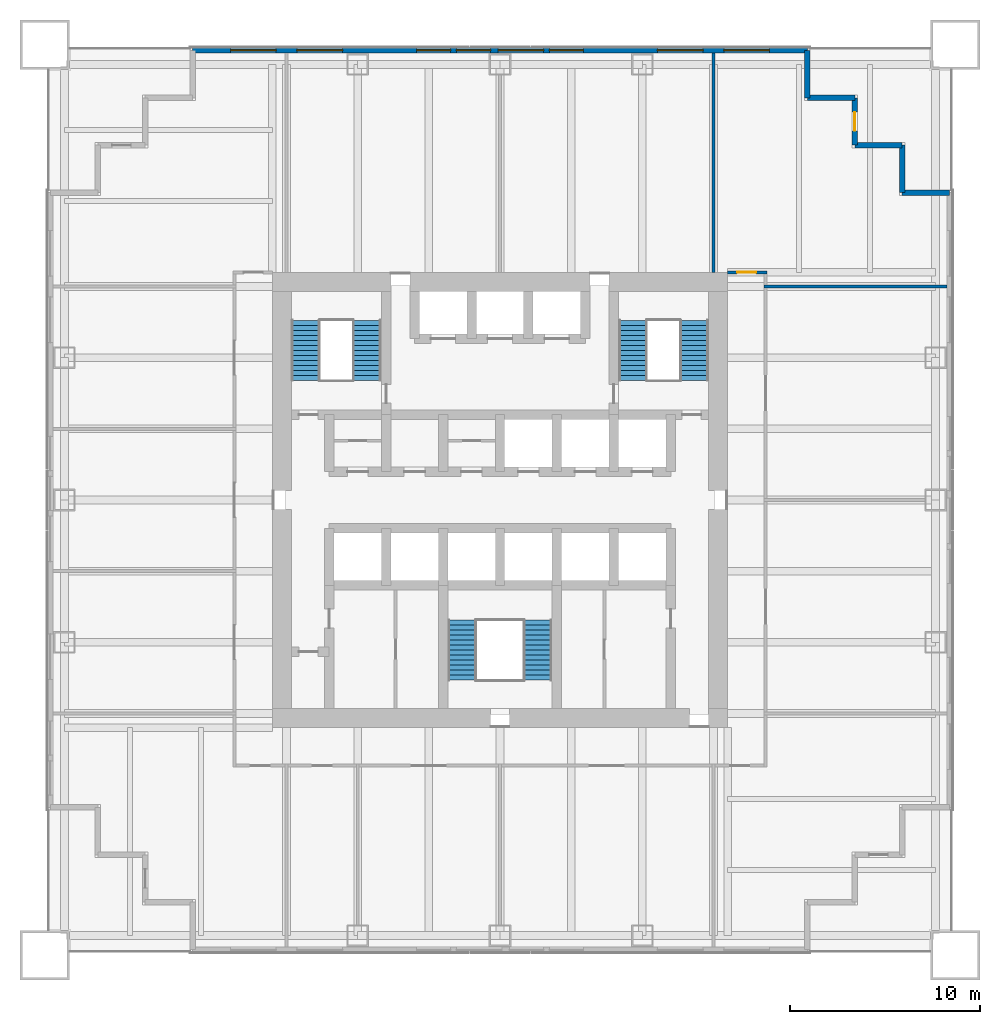
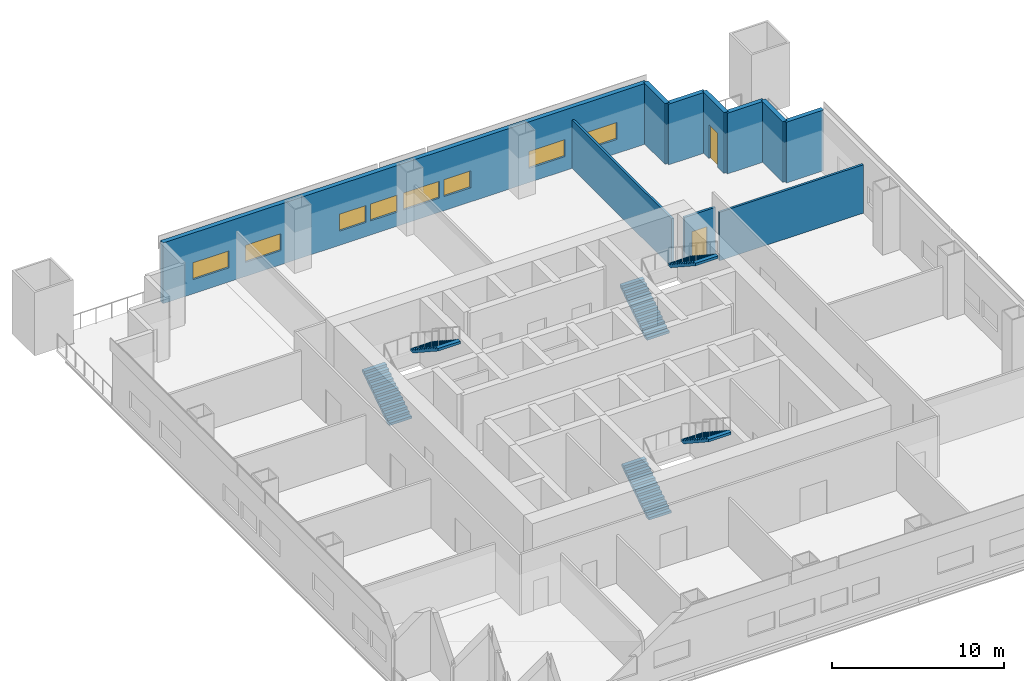
# One storey, part 5 of 7: 10 walls, 8 windows, 6 stair flights, 2 doors, 10 openings, 3 elements without a shape of their own.
"""IFC4 building model written with IfcOpenShell, lengths in metres."""

from ifc_helpers import new_model, si_unit, direction, frame, frame_2d, origin, place, context, subcontext, project, spatial, polyline, rectangle, outline, extrude, material, layer, layer_set, type_object, element, fill, aggregate, save


model = new_model("IFC4")

# Units and contexts
model_context = context("Model", 3, precision=1e-05, world=origin(), true_north=direction((0.0, 1.0)))
body_context = subcontext(model_context, "Body", "Model", "MODEL_VIEW")
ifc_project = project(units=[si_unit("LENGTHUNIT", "METRE"), si_unit("AREAUNIT", "SQUARE_METRE"), si_unit("VOLUMEUNIT", "CUBIC_METRE"), si_unit("PLANEANGLEUNIT", "RADIAN"), si_unit("MASSUNIT", "GRAM", prefix="KILO")], contexts=[model_context])

# Site, building, storey
site_placement = place(None, origin())
site = spatial("IfcSite", under=ifc_project, at=site_placement, CompositionType="ELEMENT")
building_placement = place(site_placement, origin())
building = spatial("IfcBuilding", under=site, at=building_placement, Name="Tarangal Relay Tower", CompositionType="ELEMENT")
storey_placement = place(building_placement, frame((0.0, 0.0, 149.39990234375)))
storey = spatial("IfcBuildingStorey", under=building, at=storey_placement, Name="L30", CompositionType="ELEMENT", Elevation=149.39990234375)

# Wall, openings, windows
ifc_material_1 = material(Name="Insulated precast concrete fc' 40 MPa", Category="concrete")
ifc_layer_1 = layer(ifc_material_1, 0.300048828125)
ifc_layer_set_1 = layer_set([ifc_layer_1], Name="Insulated precast concrete fc' 40 MPa")
wall_type_1 = type_object("IfcWallType", Name="Facade wall precast 300", PredefinedType="SOLIDWALL", material=ifc_layer_set_1)
wall_1_placement = place(storey_placement, frame((-16.199951171875, 23.699951171875, 0.0), z_axis=(0.0, 0.0, 1.0), x_axis=(1.0, 0.0, 0.0)))
wall_1 = element("IfcWall", 1, at=wall_1_placement, inside=storey, type_object=wall_type_1, Name="Facade wall N facade L30", PredefinedType="SOLIDWALL", context=body_context, shape_type="SweptSolid", body=[
    extrude(rectangle(XDim=32.39990234375, YDim=0.300048828125, at=frame_2d((16.199951171875, 0.0))), origin(), (0.0, 0.0, 1.0), 4.300048828125),
])
opening_1_placement = place(wall_1_placement, frame((2.0, 0.0, 1.0)))
opening_1 = element("IfcOpeningElement", 2, at=opening_1_placement, cuts=wall_1, Name="Opening WN1", PredefinedType="OPENING", context=body_context, shape_type="SweptSolid", body=[
    extrude(rectangle(XDim=2.39990234375, YDim=1.199951171875, at=frame_2d((1.199951171875, 0.60009765625))), frame((0.0, 0.159912109375, 0.0), z_axis=(0.0, -1.0, 0.0), x_axis=(1.0, 0.0, 0.0)), (0.0, 0.0, 1.0), 0.320068359375),
])
opening_2_placement = place(wall_1_placement, frame((5.5, 0.0, 1.0)))
opening_2 = element("IfcOpeningElement", 3, at=opening_2_placement, cuts=wall_1, Name="Opening WN1", PredefinedType="OPENING", context=body_context, shape_type="SweptSolid", body=[
    extrude(rectangle(XDim=2.39990234375, YDim=1.199951171875, at=frame_2d((1.199951171875, 0.60009765625))), frame((0.0, 0.159912109375, 0.0), z_axis=(0.0, -1.0, 0.0), x_axis=(1.0, 0.0, 0.0)), (0.0, 0.0, 1.0), 0.320068359375),
])
opening_3_placement = place(wall_1_placement, frame((11.800048828125, 0.0, 1.0)))
opening_3 = element("IfcOpeningElement", 4, at=opening_3_placement, cuts=wall_1, Name="Opening WN5", PredefinedType="OPENING", context=body_context, shape_type="SweptSolid", body=[
    extrude(rectangle(XDim=1.800048828125, YDim=1.199951171875, at=frame_2d((0.89990234375, 0.60009765625))), frame((0.0, 0.159912109375, 0.0), z_axis=(0.0, -1.0, 0.0), x_axis=(1.0, 0.0, 0.0)), (0.0, 0.0, 1.0), 0.320068359375),
])
opening_4_placement = place(wall_1_placement, frame((13.89990234375, 0.0, 1.0)))
opening_4 = element("IfcOpeningElement", 5, at=opening_4_placement, cuts=wall_1, Name="Opening WN5", PredefinedType="OPENING", context=body_context, shape_type="SweptSolid", body=[
    extrude(rectangle(XDim=1.800048828125, YDim=1.199951171875, at=frame_2d((0.89990234375, 0.60009765625))), frame((0.0, 0.159912109375, 0.0), z_axis=(0.0, -1.0, 0.0), x_axis=(1.0, 0.0, 0.0)), (0.0, 0.0, 1.0), 0.320068359375),
])
opening_5_placement = place(wall_1_placement, frame((16.10009765625, 0.0, 1.0)))
opening_5 = element("IfcOpeningElement", 6, at=opening_5_placement, cuts=wall_1, Name="Opening WN1", PredefinedType="OPENING", context=body_context, shape_type="SweptSolid", body=[
    extrude(rectangle(XDim=2.39990234375, YDim=1.199951171875, at=frame_2d((1.199951171875, 0.60009765625))), frame((0.0, 0.159912109375, 0.0), z_axis=(0.0, -1.0, 0.0), x_axis=(1.0, 0.0, 0.0)), (0.0, 0.0, 1.0), 0.320068359375),
])
opening_6_placement = place(wall_1_placement, frame((18.800048828125, 0.0, 1.0)))
opening_6 = element("IfcOpeningElement", 7, at=opening_6_placement, cuts=wall_1, Name="Opening WN5", PredefinedType="OPENING", context=body_context, shape_type="SweptSolid", body=[
    extrude(rectangle(XDim=1.800048828125, YDim=1.199951171875, at=frame_2d((0.89990234375, 0.60009765625))), frame((0.0, 0.159912109375, 0.0), z_axis=(0.0, -1.0, 0.0), x_axis=(1.0, 0.0, 0.0)), (0.0, 0.0, 1.0), 0.320068359375),
])
opening_7_placement = place(wall_1_placement, frame((24.5, 0.0, 1.0)))
opening_7 = element("IfcOpeningElement", 8, at=opening_7_placement, cuts=wall_1, Name="Opening WN1", PredefinedType="OPENING", context=body_context, shape_type="SweptSolid", body=[
    extrude(rectangle(XDim=2.39990234375, YDim=1.199951171875, at=frame_2d((1.199951171875, 0.60009765625))), frame((0.0, 0.159912109375, 0.0), z_axis=(0.0, -1.0, 0.0), x_axis=(1.0, 0.0, 0.0)), (0.0, 0.0, 1.0), 0.320068359375),
])
opening_8_placement = place(wall_1_placement, frame((28.0, 0.0, 1.0)))
opening_8 = element("IfcOpeningElement", 9, at=opening_8_placement, cuts=wall_1, Name="Opening WN1", PredefinedType="OPENING", context=body_context, shape_type="SweptSolid", body=[
    extrude(rectangle(XDim=2.39990234375, YDim=1.199951171875, at=frame_2d((1.199951171875, 0.60009765625))), frame((0.0, 0.159912109375, 0.0), z_axis=(0.0, -1.0, 0.0), x_axis=(1.0, 0.0, 0.0)), (0.0, 0.0, 1.0), 0.320068359375),
])
ifc_material_2 = material(Name="Dark tinted double glazing in black aluminium frame", Category="aluminium")
window_type_1 = type_object("IfcWindowType", Name="Ribbon window 1800 x 1200", PartitioningType="SINGLE_PANEL", PredefinedType="WINDOW", material=ifc_material_2)
window_1_placement = place(opening_3_placement, origin())
window_1 = element("IfcWindow", 10, at=window_1_placement, inside=storey, type_object=window_type_1, Name="Ribbon window WN5 N facade L30", OverallHeight=1.199951171875, OverallWidth=1.800048828125, PartitioningType="SINGLE_PANEL", PredefinedType="WINDOW", context=body_context, shape_type="SweptSolid", body=[
    extrude(rectangle(XDim=1.800048828125, YDim=1.199951171875, at=frame_2d((0.89990234375, 0.60009765625))), frame((0.0, 0.030029296875, 0.0), z_axis=(0.0, -1.0, 0.0), x_axis=(1.0, 0.0, 0.0)), (0.0, 0.0, 1.0), 0.06005859375),
])
fill(opening_3, window_1)
window_2_placement = place(opening_4_placement, origin())
window_2 = element("IfcWindow", 11, at=window_2_placement, inside=storey, type_object=window_type_1, Name="Ribbon window WN5 N facade L30", OverallHeight=1.199951171875, OverallWidth=1.800048828125, PartitioningType="SINGLE_PANEL", PredefinedType="WINDOW", context=body_context, shape_type="SweptSolid", body=[
    extrude(rectangle(XDim=1.800048828125, YDim=1.199951171875, at=frame_2d((0.89990234375, 0.60009765625))), frame((0.0, 0.030029296875, 0.0), z_axis=(0.0, -1.0, 0.0), x_axis=(1.0, 0.0, 0.0)), (0.0, 0.0, 1.0), 0.06005859375),
])
fill(opening_4, window_2)
window_3_placement = place(opening_6_placement, origin())
window_3 = element("IfcWindow", 12, at=window_3_placement, inside=storey, type_object=window_type_1, Name="Ribbon window WN5 N facade L30", OverallHeight=1.199951171875, OverallWidth=1.800048828125, PartitioningType="SINGLE_PANEL", PredefinedType="WINDOW", context=body_context, shape_type="SweptSolid", body=[
    extrude(rectangle(XDim=1.800048828125, YDim=1.199951171875, at=frame_2d((0.89990234375, 0.60009765625))), frame((0.0, 0.030029296875, 0.0), z_axis=(0.0, -1.0, 0.0), x_axis=(1.0, 0.0, 0.0)), (0.0, 0.0, 1.0), 0.06005859375),
])
fill(opening_6, window_3)
window_type_2 = type_object("IfcWindowType", Name="Ribbon window 2400 x 1200", PartitioningType="SINGLE_PANEL", PredefinedType="WINDOW", material=ifc_material_2)
window_4_placement = place(opening_1_placement, origin())
window_4 = element("IfcWindow", 13, at=window_4_placement, inside=storey, type_object=window_type_2, Name="Ribbon window WN1 N facade L30", OverallHeight=1.199951171875, OverallWidth=2.39990234375, PartitioningType="SINGLE_PANEL", PredefinedType="WINDOW", context=body_context, shape_type="SweptSolid", body=[
    extrude(rectangle(XDim=2.39990234375, YDim=1.199951171875, at=frame_2d((1.199951171875, 0.60009765625))), frame((0.0, 0.030029296875, 0.0), z_axis=(0.0, -1.0, 0.0), x_axis=(1.0, 0.0, 0.0)), (0.0, 0.0, 1.0), 0.06005859375),
])
fill(opening_1, window_4)
window_5_placement = place(opening_2_placement, origin())
window_5 = element("IfcWindow", 14, at=window_5_placement, inside=storey, type_object=window_type_2, Name="Ribbon window WN1 N facade L30", OverallHeight=1.199951171875, OverallWidth=2.39990234375, PartitioningType="SINGLE_PANEL", PredefinedType="WINDOW", context=body_context, shape_type="SweptSolid", body=[
    extrude(rectangle(XDim=2.39990234375, YDim=1.199951171875, at=frame_2d((1.199951171875, 0.60009765625))), frame((0.0, 0.030029296875, 0.0), z_axis=(0.0, -1.0, 0.0), x_axis=(1.0, 0.0, 0.0)), (0.0, 0.0, 1.0), 0.06005859375),
])
fill(opening_2, window_5)
window_6_placement = place(opening_5_placement, origin())
window_6 = element("IfcWindow", 15, at=window_6_placement, inside=storey, type_object=window_type_2, Name="Ribbon window WN1 N facade L30", OverallHeight=1.199951171875, OverallWidth=2.39990234375, PartitioningType="SINGLE_PANEL", PredefinedType="WINDOW", context=body_context, shape_type="SweptSolid", body=[
    extrude(rectangle(XDim=2.39990234375, YDim=1.199951171875, at=frame_2d((1.199951171875, 0.60009765625))), frame((0.0, 0.030029296875, 0.0), z_axis=(0.0, -1.0, 0.0), x_axis=(1.0, 0.0, 0.0)), (0.0, 0.0, 1.0), 0.06005859375),
])
fill(opening_5, window_6)
window_7_placement = place(opening_7_placement, origin())
window_7 = element("IfcWindow", 16, at=window_7_placement, inside=storey, type_object=window_type_2, Name="Ribbon window WN1 N facade L30", OverallHeight=1.199951171875, OverallWidth=2.39990234375, PartitioningType="SINGLE_PANEL", PredefinedType="WINDOW", context=body_context, shape_type="SweptSolid", body=[
    extrude(rectangle(XDim=2.39990234375, YDim=1.199951171875, at=frame_2d((1.199951171875, 0.60009765625))), frame((0.0, 0.030029296875, 0.0), z_axis=(0.0, -1.0, 0.0), x_axis=(1.0, 0.0, 0.0)), (0.0, 0.0, 1.0), 0.06005859375),
])
fill(opening_7, window_7)
window_8_placement = place(opening_8_placement, origin())
window_8 = element("IfcWindow", 17, at=window_8_placement, inside=storey, type_object=window_type_2, Name="Ribbon window WN1 N facade L30", OverallHeight=1.199951171875, OverallWidth=2.39990234375, PartitioningType="SINGLE_PANEL", PredefinedType="WINDOW", context=body_context, shape_type="SweptSolid", body=[
    extrude(rectangle(XDim=2.39990234375, YDim=1.199951171875, at=frame_2d((1.199951171875, 0.60009765625))), frame((0.0, 0.030029296875, 0.0), z_axis=(0.0, -1.0, 0.0), x_axis=(1.0, 0.0, 0.0)), (0.0, 0.0, 1.0), 0.06005859375),
])
fill(opening_8, window_8)

# Walls
for number, where, z_axis, x_axis, name in (
    (18, (16.199951171875, 23.699951171875, 0.0), (0.0, 0.0, 1.0), (0.0, -1.0, 0.0), "Facade wall N facade L30"),
    (19, (16.199951171875, 21.199951171875, 0.0), (0.0, 0.0, 1.0), (1.0, 0.0, 0.0), "Facade wall N facade L30"),
):
    element("IfcWall", number, at=place(storey_placement, frame(where, z_axis=z_axis, x_axis=x_axis)), inside=storey, type_object=wall_type_1, Name=name, PredefinedType="SOLIDWALL", context=body_context, shape_type="SweptSolid", body=[
        extrude(rectangle(XDim=2.5, YDim=0.300048828125, at=frame_2d((1.25, 0.0))), origin(), (0.0, 0.0, 1.0), 4.300048828125),
    ])

# Wall, opening, door
wall_2_placement = place(storey_placement, frame((18.699951171875, 21.199951171875, 0.0), z_axis=(0.0, 0.0, 1.0), x_axis=(0.0, -1.0, 0.0)))
wall_2 = element("IfcWall", 20, at=wall_2_placement, inside=storey, type_object=wall_type_1, Name="Facade wall N facade L30", PredefinedType="SOLIDWALL", context=body_context, shape_type="SweptSolid", body=[
    extrude(rectangle(XDim=2.5, YDim=0.300048828125, at=frame_2d((1.25, 0.0))), origin(), (0.0, 0.0, 1.0), 4.300048828125),
])
opening_9_placement = place(wall_2_placement, frame((0.75, 0.0, 0.0)))
opening_9 = element("IfcOpeningElement", 21, at=opening_9_placement, cuts=wall_2, Name="Opening TD1", PredefinedType="OPENING", context=body_context, shape_type="SweptSolid", body=[
    extrude(rectangle(XDim=1.0, YDim=2.39990234375, at=frame_2d((0.5, 1.199951171875))), frame((0.0, 0.159912109375, 0.0), z_axis=(0.0, -1.0, 0.0), x_axis=(1.0, 0.0, 0.0)), (0.0, 0.0, 1.0), 0.320068359375),
])
ifc_material_3 = material(Name="Aluminium glazed door", Category="aluminium")
door_type_1 = type_object("IfcDoorType", Name="Terrace door 1000 x 2400", OperationType="SINGLE_SWING_RIGHT", PredefinedType="DOOR", material=ifc_material_3)
door_1_placement = place(opening_9_placement, origin())
door_1 = element("IfcDoor", 22, at=door_1_placement, inside=storey, type_object=door_type_1, Name="Terrace door TD1 NE L30", OperationType="SINGLE_SWING_RIGHT", OverallHeight=2.39990234375, OverallWidth=1.0, PredefinedType="DOOR", context=body_context, shape_type="SweptSolid", body=[
    extrude(rectangle(XDim=1.0, YDim=2.39990234375, at=frame_2d((0.5, 1.199951171875))), frame((0.0, 0.02490234375, 0.0), z_axis=(0.0, -1.0, 0.0), x_axis=(1.0, 0.0, 0.0)), (0.0, 0.0, 1.0), 0.050048828125),
])
fill(opening_9, door_1)

# Walls
for number, where, z_axis, x_axis, name in (
    (23, (18.699951171875, 18.699951171875, 0.0), (0.0, 0.0, 1.0), (1.0, 0.0, 0.0), "Facade wall N facade L30"),
    (24, (21.199951171875, 18.699951171875, 0.0), (0.0, 0.0, 1.0), (0.0, -1.0, 0.0), "Facade wall N facade L30"),
    (25, (21.199951171875, 16.199951171875, 0.0), (0.0, 0.0, 1.0), (1.0, 0.0, 0.0), "Facade wall N facade L30"),
):
    element("IfcWall", number, at=place(storey_placement, frame(where, z_axis=z_axis, x_axis=x_axis)), inside=storey, type_object=wall_type_1, Name=name, PredefinedType="SOLIDWALL", context=body_context, shape_type="SweptSolid", body=[
        extrude(rectangle(XDim=2.5, YDim=0.300048828125, at=frame_2d((1.25, 0.0))), origin(), (0.0, 0.0, 1.0), 4.300048828125),
    ])
ifc_material_4 = material(Name="Gypsum board on steel studs", Category="steel")
ifc_layer_2 = layer(ifc_material_4, 0.14990234375)
ifc_layer_set_2 = layer_set([ifc_layer_2], Name="Partition 150")
wall_type_2 = type_object("IfcWallType", Name="Partition 150", PredefinedType="PARTITIONING", material=ifc_layer_set_2)
wall_3_placement = place(storey_placement, frame((13.925048828125, 11.25, 0.0), z_axis=(0.0, 0.0, 1.0), x_axis=(1.0, 0.0, 0.0)))
element("IfcWall", 26, at=wall_3_placement, inside=storey, type_object=wall_type_2, Name="Partition PT1 L30", PredefinedType="PARTITIONING", context=body_context, shape_type="SweptSolid", body=[
    extrude(rectangle(XDim=9.625, YDim=0.14990234375, at=frame_2d((4.8125, 0.0))), origin(), (0.0, 0.0, 1.0), 3.431396484375),
])

# Wall, opening, door
wall_4_placement = place(storey_placement, frame((12.0, 12.0, 0.0), z_axis=(0.0, 0.0, 1.0), x_axis=(1.0, 0.0, 0.0)))
wall_4 = element("IfcWall", 27, at=wall_4_placement, inside=storey, type_object=wall_type_2, Name="Partition PT1 L30", PredefinedType="PARTITIONING", context=body_context, shape_type="SweptSolid", body=[
    extrude(rectangle(XDim=2.074951171875, YDim=0.14990234375, at=frame_2d((1.03759765625, 0.0))), origin(), (0.0, 0.0, 1.0), 3.2841796875),
])
opening_10_placement = place(wall_4_placement, frame((0.5, 0.0, 0.0)))
opening_10 = element("IfcOpeningElement", 28, at=opening_10_placement, cuts=wall_4, Name="Opening D2", PredefinedType="OPENING", context=body_context, shape_type="SweptSolid", body=[
    extrude(rectangle(XDim=1.0, YDim=2.10009765625, at=frame_2d((0.5, 1.050048828125))), frame((0.0, 0.0849609375, 0.0), z_axis=(0.0, -1.0, 0.0), x_axis=(1.0, 0.0, 0.0)), (0.0, 0.0, 1.0), 0.169921875),
])
ifc_material_5 = material(Name="Hardwood door", Category="wood")
door_type_2 = type_object("IfcDoorType", Name="Door 1000 x 2100", OperationType="SINGLE_SWING_LEFT", PredefinedType="DOOR", material=ifc_material_5)
door_2_placement = place(opening_10_placement, origin())
door_2 = element("IfcDoor", 29, at=door_2_placement, inside=storey, type_object=door_type_2, Name="Door D2 to carrier staff office L30-12", OperationType="SINGLE_SWING_LEFT", OverallHeight=2.10009765625, OverallWidth=1.0, PredefinedType="DOOR", context=body_context, shape_type="SweptSolid", body=[
    extrude(rectangle(XDim=1.0, YDim=2.10009765625, at=frame_2d((0.5, 1.050048828125))), frame((0.0, 0.02490234375, 0.0), z_axis=(0.0, -1.0, 0.0), x_axis=(1.0, 0.0, 0.0)), (0.0, 0.0, 1.0), 0.050048828125),
])
fill(opening_10, door_2)

# Wall
wall_5_placement = place(storey_placement, frame((11.25, 12.0, 0.0), z_axis=(0.0, 0.0, 1.0), x_axis=(0.0, 1.0, 0.0)))
element("IfcWall", 30, at=wall_5_placement, inside=storey, type_object=wall_type_2, Name="Partition PT1 L30", PredefinedType="PARTITIONING", context=body_context, shape_type="SweptSolid", body=[
    extrude(rectangle(XDim=11.550048828125, YDim=0.14990234375, at=frame_2d((5.77490234375, 0.0))), origin(), (0.0, 0.0, 1.0), 3.431396484375),
])

# Stair, stair flights
ifc_material_6 = material(Name="Steel ASTM A992 stair flight", Category="steel")
stair_type = type_object("IfcStairType", Name="Core stair 1500", PredefinedType="HALF_TURN_STAIR", material=ifc_material_6)
stair_1_placement = place(storey_placement, origin())
stair_1 = element("IfcStair", 31, at=stair_1_placement, inside=storey, type_object=stair_type, Name="Stair ST-A L30", PredefinedType="HALF_TURN_STAIR")
stair_flight_type = type_object("IfcStairFlightType", Name="Steel stair flight 1500, 13 risers 173 x 264", PredefinedType="STRAIGHT", material=ifc_material_6)
stair_flight_1_placement = place(storey_placement, frame((-10.25, 6.300048828125, 0.0), z_axis=(0.0, 0.0, 1.0), x_axis=(0.0, 1.0, 0.0)))
stair_flight_1 = element("IfcStairFlight", 32, at=stair_flight_1_placement, type_object=stair_flight_type, Name="ST-A flight 1", NumberOfRisers=13, NumberOfTreads=12, PredefinedType="STRAIGHT", RiserHeight=0.173076923, TreadLength=0.264, context=body_context, shape_type="SweptSolid", body=[
    extrude(outline(polyline([(0.0, 0.0), (0.0, 0.173095703125), (0.263916015625, 0.173095703125), (0.263916015625, 0.34619140625), (0.528076171875, 0.34619140625), (0.528076171875, 0.519287109375), (0.7919921875, 0.519287109375), (0.7919921875, 0.6923828125), (1.055908203125, 0.6923828125), (1.055908203125, 0.865478515625), (1.320068359375, 0.865478515625), (1.320068359375, 1.03857421875), (1.583984375, 1.03857421875), (1.583984375, 1.21142578125), (1.847900390625, 1.21142578125), (1.847900390625, 1.384521484375), (2.112060546875, 1.384521484375), (2.112060546875, 1.5576171875), (2.3759765625, 1.5576171875), (2.3759765625, 1.730712890625), (2.639892578125, 1.730712890625), (2.639892578125, 1.90380859375), (2.904052734375, 1.90380859375), (2.904052734375, 2.076904296875), (3.16796875, 2.076904296875), (3.16796875, 2.25), (3.16796875, 1.897705078125), (0.2734375, 0.0), (0.0, 0.0)])), frame((0.0, 0.75, 0.0), z_axis=(0.0, -1.0, 0.0), x_axis=(1.0, 0.0, 0.0)), (0.0, 0.0, 1.0), 1.5),
])
stair_flight_2_placement = place(storey_placement, frame((-7.0, 9.468017578125, 2.25), z_axis=(0.0, 0.0, 1.0), x_axis=(0.0, -1.0, 0.0)))
stair_flight_2 = element("IfcStairFlight", 33, at=stair_flight_2_placement, type_object=stair_flight_type, Name="ST-A flight 2", NumberOfRisers=13, NumberOfTreads=12, PredefinedType="STRAIGHT", RiserHeight=0.173076923, TreadLength=0.264, context=body_context, shape_type="SweptSolid", body=[
    extrude(outline(polyline([(0.0, 0.0), (0.0, 0.173095703125), (0.263916015625, 0.173095703125), (0.263916015625, 0.34619140625), (0.528076171875, 0.34619140625), (0.528076171875, 0.519287109375), (0.7919921875, 0.519287109375), (0.7919921875, 0.6923828125), (1.055908203125, 0.6923828125), (1.055908203125, 0.865478515625), (1.320068359375, 0.865478515625), (1.320068359375, 1.03857421875), (1.583984375, 1.03857421875), (1.583984375, 1.21142578125), (1.847900390625, 1.21142578125), (1.847900390625, 1.384521484375), (2.112060546875, 1.384521484375), (2.112060546875, 1.5576171875), (2.3759765625, 1.5576171875), (2.3759765625, 1.730712890625), (2.639892578125, 1.730712890625), (2.639892578125, 1.90380859375), (2.904052734375, 1.90380859375), (2.904052734375, 2.076904296875), (3.16796875, 2.076904296875), (3.16796875, 2.25), (3.16796875, 1.897705078125), (0.2734375, 0.0), (0.0, 0.0)])), frame((0.0, 0.75, 0.0), z_axis=(0.0, -1.0, 0.0), x_axis=(1.0, 0.0, 0.0)), (0.0, 0.0, 1.0), 1.5),
])
aggregate(stair_1, [stair_flight_1, stair_flight_2])

stair_2_placement = place(storey_placement, origin())
stair_2 = element("IfcStair", 34, at=stair_2_placement, inside=storey, type_object=stair_type, Name="Stair ST-B L30", PredefinedType="HALF_TURN_STAIR")
stair_flight_3_placement = place(storey_placement, frame((7.0, 6.300048828125, 0.0), z_axis=(0.0, 0.0, 1.0), x_axis=(0.0, 1.0, 0.0)))
stair_flight_3 = element("IfcStairFlight", 35, at=stair_flight_3_placement, type_object=stair_flight_type, Name="ST-B flight 1", NumberOfRisers=13, NumberOfTreads=12, PredefinedType="STRAIGHT", RiserHeight=0.173076923, TreadLength=0.264, context=body_context, shape_type="SweptSolid", body=[
    extrude(outline(polyline([(0.0, 0.0), (0.0, 0.173095703125), (0.263916015625, 0.173095703125), (0.263916015625, 0.34619140625), (0.528076171875, 0.34619140625), (0.528076171875, 0.519287109375), (0.7919921875, 0.519287109375), (0.7919921875, 0.6923828125), (1.055908203125, 0.6923828125), (1.055908203125, 0.865478515625), (1.320068359375, 0.865478515625), (1.320068359375, 1.03857421875), (1.583984375, 1.03857421875), (1.583984375, 1.21142578125), (1.847900390625, 1.21142578125), (1.847900390625, 1.384521484375), (2.112060546875, 1.384521484375), (2.112060546875, 1.5576171875), (2.3759765625, 1.5576171875), (2.3759765625, 1.730712890625), (2.639892578125, 1.730712890625), (2.639892578125, 1.90380859375), (2.904052734375, 1.90380859375), (2.904052734375, 2.076904296875), (3.16796875, 2.076904296875), (3.16796875, 2.25), (3.16796875, 1.897705078125), (0.2734375, 0.0), (0.0, 0.0)])), frame((0.0, 0.75, 0.0), z_axis=(0.0, -1.0, 0.0), x_axis=(1.0, 0.0, 0.0)), (0.0, 0.0, 1.0), 1.5),
])
stair_flight_4_placement = place(storey_placement, frame((10.25, 9.468017578125, 2.25), z_axis=(0.0, 0.0, 1.0), x_axis=(0.0, -1.0, 0.0)))
stair_flight_4 = element("IfcStairFlight", 36, at=stair_flight_4_placement, type_object=stair_flight_type, Name="ST-B flight 2", NumberOfRisers=13, NumberOfTreads=12, PredefinedType="STRAIGHT", RiserHeight=0.173076923, TreadLength=0.264, context=body_context, shape_type="SweptSolid", body=[
    extrude(outline(polyline([(0.0, 0.0), (0.0, 0.173095703125), (0.263916015625, 0.173095703125), (0.263916015625, 0.34619140625), (0.528076171875, 0.34619140625), (0.528076171875, 0.519287109375), (0.7919921875, 0.519287109375), (0.7919921875, 0.6923828125), (1.055908203125, 0.6923828125), (1.055908203125, 0.865478515625), (1.320068359375, 0.865478515625), (1.320068359375, 1.03857421875), (1.583984375, 1.03857421875), (1.583984375, 1.21142578125), (1.847900390625, 1.21142578125), (1.847900390625, 1.384521484375), (2.112060546875, 1.384521484375), (2.112060546875, 1.5576171875), (2.3759765625, 1.5576171875), (2.3759765625, 1.730712890625), (2.639892578125, 1.730712890625), (2.639892578125, 1.90380859375), (2.904052734375, 1.90380859375), (2.904052734375, 2.076904296875), (3.16796875, 2.076904296875), (3.16796875, 2.25), (3.16796875, 1.897705078125), (0.2734375, 0.0), (0.0, 0.0)])), frame((0.0, 0.75, 0.0), z_axis=(0.0, -1.0, 0.0), x_axis=(1.0, 0.0, 0.0)), (0.0, 0.0, 1.0), 1.5),
])
aggregate(stair_2, [stair_flight_3, stair_flight_4])

stair_3_placement = place(storey_placement, origin())
stair_3 = element("IfcStair", 37, at=stair_3_placement, inside=storey, type_object=stair_type, Name="Stair ST-C L30", PredefinedType="HALF_TURN_STAIR")
stair_flight_5_placement = place(storey_placement, frame((-2.0, -9.5, 0.0), z_axis=(0.0, 0.0, 1.0), x_axis=(0.0, 1.0, 0.0)))
stair_flight_5 = element("IfcStairFlight", 38, at=stair_flight_5_placement, type_object=stair_flight_type, Name="ST-C flight 1", NumberOfRisers=13, NumberOfTreads=12, PredefinedType="STRAIGHT", RiserHeight=0.173076923, TreadLength=0.264, context=body_context, shape_type="SweptSolid", body=[
    extrude(outline(polyline([(0.0, 0.0), (0.0, 0.173095703125), (0.263916015625, 0.173095703125), (0.263916015625, 0.34619140625), (0.528076171875, 0.34619140625), (0.528076171875, 0.519287109375), (0.7919921875, 0.519287109375), (0.7919921875, 0.6923828125), (1.055908203125, 0.6923828125), (1.055908203125, 0.865478515625), (1.320068359375, 0.865478515625), (1.320068359375, 1.03857421875), (1.583984375, 1.03857421875), (1.583984375, 1.21142578125), (1.847900390625, 1.21142578125), (1.847900390625, 1.384521484375), (2.112060546875, 1.384521484375), (2.112060546875, 1.5576171875), (2.3759765625, 1.5576171875), (2.3759765625, 1.730712890625), (2.639892578125, 1.730712890625), (2.639892578125, 1.90380859375), (2.904052734375, 1.90380859375), (2.904052734375, 2.076904296875), (3.16796875, 2.076904296875), (3.16796875, 2.25), (3.16796875, 1.897705078125), (0.2734375, 0.0), (0.0, 0.0)])), frame((0.0, 0.75, 0.0), z_axis=(0.0, -1.0, 0.0), x_axis=(1.0, 0.0, 0.0)), (0.0, 0.0, 1.0), 1.5),
])
stair_flight_6_placement = place(storey_placement, frame((2.0, -6.33203125, 2.25), z_axis=(0.0, 0.0, 1.0), x_axis=(0.0, -1.0, 0.0)))
stair_flight_6 = element("IfcStairFlight", 39, at=stair_flight_6_placement, type_object=stair_flight_type, Name="ST-C flight 2", NumberOfRisers=13, NumberOfTreads=12, PredefinedType="STRAIGHT", RiserHeight=0.173076923, TreadLength=0.264, context=body_context, shape_type="SweptSolid", body=[
    extrude(outline(polyline([(0.0, 0.0), (0.0, 0.173095703125), (0.263916015625, 0.173095703125), (0.263916015625, 0.34619140625), (0.528076171875, 0.34619140625), (0.528076171875, 0.519287109375), (0.7919921875, 0.519287109375), (0.7919921875, 0.6923828125), (1.055908203125, 0.6923828125), (1.055908203125, 0.865478515625), (1.320068359375, 0.865478515625), (1.320068359375, 1.03857421875), (1.583984375, 1.03857421875), (1.583984375, 1.21142578125), (1.847900390625, 1.21142578125), (1.847900390625, 1.384521484375), (2.112060546875, 1.384521484375), (2.112060546875, 1.5576171875), (2.3759765625, 1.5576171875), (2.3759765625, 1.730712890625), (2.639892578125, 1.730712890625), (2.639892578125, 1.90380859375), (2.904052734375, 1.90380859375), (2.904052734375, 2.076904296875), (3.16796875, 2.076904296875), (3.16796875, 2.25), (3.16796875, 1.897705078125), (0.2734375, 0.0), (0.0, 0.0)])), frame((0.0, 0.75, 0.0), z_axis=(0.0, -1.0, 0.0), x_axis=(1.0, 0.0, 0.0)), (0.0, 0.0, 1.0), 1.5),
])
aggregate(stair_3, [stair_flight_5, stair_flight_6])

save(model, "model.ifc")
